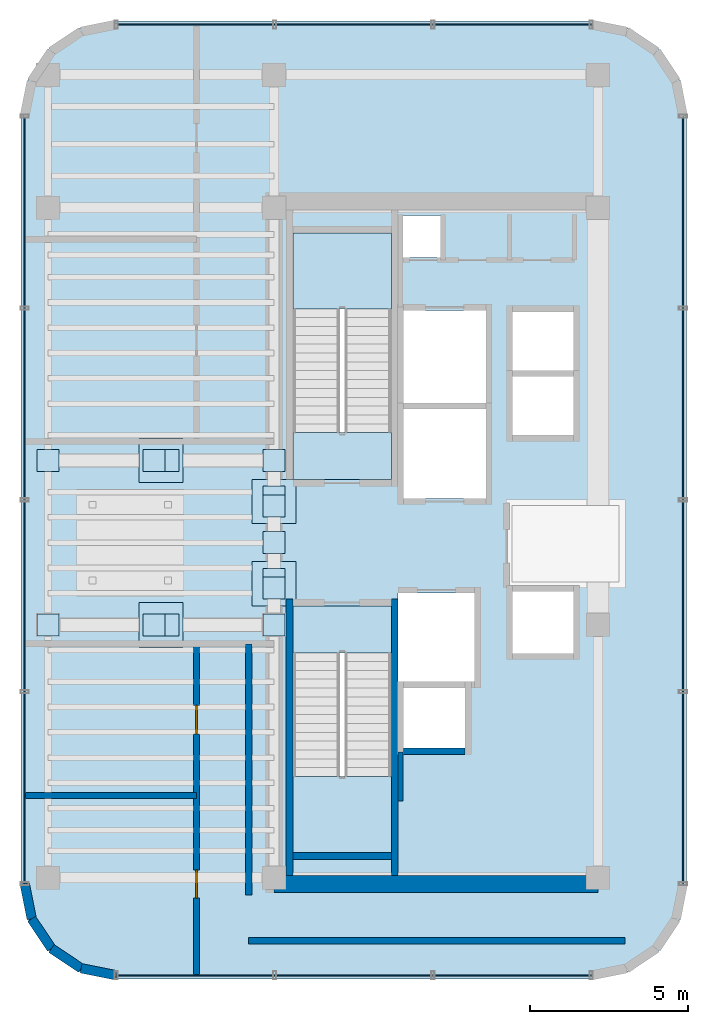
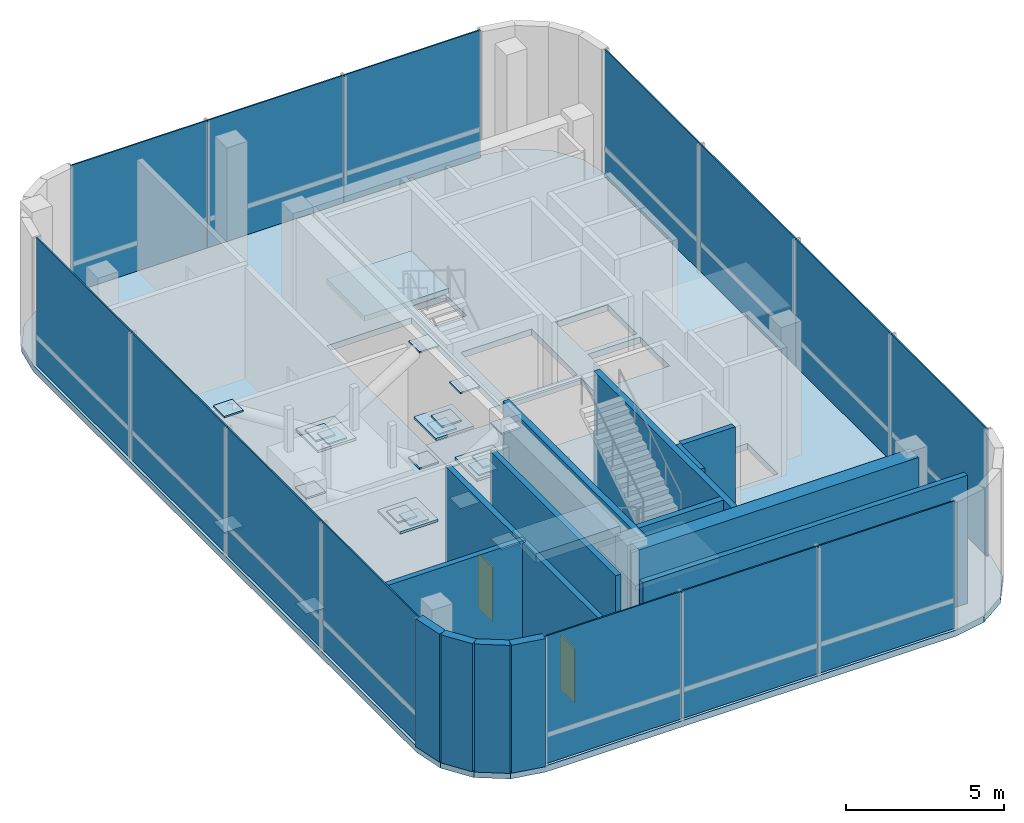
# One storey, part 9 of 13: 36 plates, 14 walls, 5 slabs, 2 doors, 2 openings, 6 elements without a shape of their own.
"""IFC4 building model written with IfcOpenShell, lengths in metres."""

from ifc_helpers import new_model, si_unit, direction, frame, frame_2d, origin, origin_2d, place, context, subcontext, project, spatial, polyline, rectangle, outline, extrude, source, transform, mapped, material, layer, layer_set, type_object, element, fill, aggregate, save


model = new_model("IFC4")

# Units and contexts
model_context = context("Model", 3, precision=1e-05, world=origin(), true_north=direction((0.0, 1.0)))
body_context = subcontext(model_context, "Body", "Model", "MODEL_VIEW")
ifc_project = project(units=[si_unit("LENGTHUNIT", "METRE"), si_unit("AREAUNIT", "SQUARE_METRE"), si_unit("VOLUMEUNIT", "CUBIC_METRE"), si_unit("PLANEANGLEUNIT", "RADIAN"), si_unit("MASSUNIT", "GRAM", prefix="KILO")], contexts=[model_context])

# Site, building, storey
site_placement = place(None, origin())
site = spatial("IfcSite", under=ifc_project, at=site_placement, CompositionType="ELEMENT")
building_placement = place(site_placement, origin())
building = spatial("IfcBuilding", under=site, at=building_placement, Name="Valdorenza Pilgrim Sanctuary Tower", CompositionType="ELEMENT")
storey_placement = place(building_placement, frame((0.0, 0.0, 294.199951171875)))
storey = spatial("IfcBuildingStorey", under=building, at=storey_placement, Name="L77", CompositionType="ELEMENT", Elevation=294.199951171875)

# Slab
ifc_material_1 = material(Name="Concrete C40/50", Category="concrete")
ifc_layer_1 = layer(ifc_material_1, 0.239990234375, Name="Concrete C40/50")
ifc_layer_set_1 = layer_set([ifc_layer_1], Name="Concrete C40/50")
slab_type_1 = type_object("IfcSlabType", Name="SLAB-PLT-240", PredefinedType="FLOOR", material=ifc_layer_set_1)
slab_1_placement = place(storey_placement, frame((0.0, 0.0, -0.239990234375)))
element("IfcSlab", 1, at=slab_1_placement, inside=storey, type_object=slab_type_1, Name="L77 Structural Floor Slab 1", PredefinedType="FLOOR", context=body_context, shape_type="SweptSolid", body=[
    extrude(outline(polyline([(-30.64990234375, 13.5), (-30.421630859375, 14.648193359375), (-29.771240234375, 15.621337890625), (-28.798095703125, 16.271484375), (-27.64990234375, 16.5), (-12.60009765625, 16.5), (-11.451904296875, 16.271484375), (-10.478759765625, 15.621337890625), (-9.828369140625, 14.648193359375), (-9.60009765625, 13.5), (-9.60009765625, -10.800048828125), (-9.828369140625, -11.947998046875), (-10.478759765625, -12.92138671875), (-11.451904296875, -13.571533203125), (-12.60009765625, -13.800048828125), (-27.64990234375, -13.800048828125), (-28.798095703125, -13.571533203125), (-29.771240234375, -12.92138671875), (-30.421630859375, -11.947998046875), (-30.64990234375, -10.800048828125), (-30.64990234375, 13.5)]), holes=[polyline([(-22.050048828125, -9.800048828125), (-18.93994140625, -9.800048828125), (-18.93994140625, -3.485107421875), (-18.93994140625, -2.0), (-22.050048828125, -2.0), (-22.050048828125, -3.485107421875), (-22.050048828125, -9.800048828125)]), polyline([(-16.60009765625, -6.5), (-16.60009765625, -4.60009765625), (-18.550048828125, -4.60009765625), (-18.550048828125, -6.5), (-16.60009765625, -6.5)]), polyline([(-22.050048828125, 2.0), (-18.93994140625, 2.0), (-18.93994140625, 3.485107421875), (-18.93994140625, 9.800048828125), (-22.050048828125, 9.800048828125), (-22.050048828125, 3.485107421875), (-22.050048828125, 2.0)]), polyline([(-17.360107421875, 9.030029296875), (-17.360107421875, 10.35009765625), (-18.570068359375, 10.35009765625), (-18.570068359375, 9.030029296875), (-17.360107421875, 9.030029296875)]), polyline([(-16.300048828125, -1.60009765625), (-18.719970703125, -1.60009765625), (-18.719970703125, -4.39990234375), (-16.300048828125, -4.39990234375), (-16.300048828125, -1.60009765625)]), polyline([(-13.179931640625, -3.5), (-13.179931640625, -1.550048828125), (-15.10009765625, -1.550048828125), (-15.10009765625, -3.5), (-13.179931640625, -3.5)]), polyline([(-15.949951171875, 1.39990234375), (-15.949951171875, 4.22509765625), (-18.550048828125, 4.22509765625), (-18.550048828125, 1.39990234375), (-15.949951171875, 1.39990234375)]), polyline([(-13.179931640625, 5.25), (-15.10009765625, 5.25), (-15.10009765625, 3.39990234375), (-13.179931640625, 3.39990234375), (-13.179931640625, 5.25)]), polyline([(-15.949951171875, 4.425048828125), (-15.949951171875, 7.35009765625), (-18.550048828125, 7.35009765625), (-18.550048828125, 4.425048828125), (-15.949951171875, 4.425048828125)]), polyline([(-13.179931640625, 5.449951171875), (-13.179931640625, 7.300048828125), (-15.10009765625, 7.300048828125), (-15.10009765625, 5.449951171875), (-13.179931640625, 5.449951171875)])]), origin(), (0.0, 0.0, 1.0), 0.239990234375),
])

# Stair, slab
stair_type = type_object("IfcStairType", Name="STR-DOG-CORE", PredefinedType="HALF_TURN_STAIR", material=ifc_material_1)
stair_1_placement = place(storey_placement, origin())
stair_1 = element("IfcStair", 2, at=stair_1_placement, inside=storey, type_object=stair_type, Name="L77 ST-A1", PredefinedType="HALF_TURN_STAIR")
ifc_layer_2 = layer(ifc_material_1, 0.199951171875, Name="Concrete C40/50")
ifc_layer_set_2 = layer_set([ifc_layer_2], Name="Concrete C40/50")
slab_type_2 = type_object("IfcSlabType", Name="SLAB-STL-200", PredefinedType="LANDING", material=ifc_layer_set_2)
slab_2_placement = place(storey_placement, frame((0.0, 0.0, 2.400146484375)))
slab_2 = element("IfcSlab", 3, at=slab_2_placement, type_object=slab_type_2, Name="ST-A1 landing 1", PredefinedType="LANDING", context=body_context, shape_type="SweptSolid", body=[
    extrude(outline(polyline([(-18.93994140625, 7.39990234375), (-18.93994140625, 9.800048828125), (-22.050048828125, 9.800048828125), (-22.050048828125, 7.39990234375), (-18.93994140625, 7.39990234375)])), origin(), (0.0, 0.0, 1.0), 0.199951171875),
])
aggregate(stair_1, [slab_2])

stair_2_placement = place(storey_placement, origin())
stair_2 = element("IfcStair", 4, at=stair_2_placement, inside=storey, type_object=stair_type, Name="L77 ST-A2", PredefinedType="HALF_TURN_STAIR")
slab_3_placement = place(storey_placement, frame((0.0, 0.0, 2.400146484375)))
slab_3 = element("IfcSlab", 5, at=slab_3_placement, type_object=slab_type_2, Name="ST-A2 landing 1", PredefinedType="LANDING", context=body_context, shape_type="SweptSolid", body=[
    extrude(outline(polyline([(-22.050048828125, -7.39990234375), (-22.050048828125, -9.800048828125), (-18.93994140625, -9.800048828125), (-18.93994140625, -7.39990234375), (-22.050048828125, -7.39990234375)])), origin(), (0.0, 0.0, 1.0), 0.199951171875),
])
aggregate(stair_2, [slab_3])

# Slabs
ifc_material_2 = material(Name="Concrete C50/60", Category="concrete")
ifc_layer_3 = layer(ifc_material_2, 0.39990234375, Name="Concrete C50/60")
ifc_layer_set_3 = layer_set([ifc_layer_3], Name="Concrete C50/60")
slab_type_3 = type_object("IfcSlabType", Name="SLAB-TRF-400", PredefinedType="FLOOR", material=ifc_layer_set_3)
slab_4_placement = place(storey_placement, frame((0.0, 0.0, -0.35986328125)))
element("IfcSlab", 6, at=slab_4_placement, inside=storey, type_object=slab_type_3, Name="L77 ST-A1 Structural Stair Landing Bearing Slab", PredefinedType="FLOOR", context=body_context, shape_type="SweptSolid", body=[
    extrude(outline(polyline([(-22.050048828125, 2.0), (-18.93994140625, 2.0), (-18.93994140625, 3.485107421875), (-22.050048828125, 3.485107421875), (-22.050048828125, 2.0)])), origin(), (0.0, 0.0, 1.0), 0.35986328125),
])
slab_5_placement = place(storey_placement, frame((0.0, 0.0, -0.35986328125)))
element("IfcSlab", 7, at=slab_5_placement, inside=storey, type_object=slab_type_3, Name="L77 ST-A2 Structural Stair Landing Bearing Slab", PredefinedType="FLOOR", context=body_context, shape_type="SweptSolid", body=[
    extrude(outline(polyline([(-22.050048828125, -3.485107421875), (-18.93994140625, -3.485107421875), (-18.93994140625, -2.0), (-22.050048828125, -2.0), (-22.050048828125, -3.485107421875)])), origin(), (0.0, 0.0, 1.0), 0.35986328125),
])

# Plates
ifc_material_3 = material(Name="Steel ASTM A572 Grade 42", Category="steel")
ifc_layer_4 = layer(ifc_material_3, 0.090087890625, Name="Steel ASTM A572 Grade 42")
ifc_layer_set_4 = layer_set([ifc_layer_4], Name="Steel ASTM A572 Grade 42")
plate_type_1 = type_object("IfcPlateType", Name="PLT-GUS-90", PredefinedType="USERDEFINED", material=ifc_layer_set_4)
shared_shape_1 = source(origin(), body_context, "Body", "SweptSolid", [
    extrude(rectangle(XDim=1.39990234375, YDim=1.39990234375, at=origin_2d()), origin(), (0.0, 0.0, 1.0), 0.090087890625),
])
for number, where, z_axis, x_axis, name in (
    (8, (-26.22509765625, -2.60009765625, 2.35498046875), (0.0, 0.0, 1.0), (1.0, 0.0, 0.0), "Truss X-Brace Node Gusset Assembly CN-01 (MB-TMD-HNG-1)"),
    (9, (-26.22509765625, 2.60009765625, 2.35498046875), (0.0, 0.0, 1.0), (1.0, 0.0, 0.0), "Truss X-Brace Node Gusset Assembly CN-01 (MB-TMD-HNG-2)"),
    (10, (-22.64990234375, -1.300048828125, 2.35498046875), (0.0, 0.0, 1.0), (1.0, 0.0, 0.0), "Truss X-Brace Node Gusset Assembly CN-01 (MB-TMD-HNG-3)"),
    (11, (-22.64990234375, 1.300048828125, 2.35498046875), (0.0, 0.0, 1.0), (1.0, 0.0, 0.0), "Truss X-Brace Node Gusset Assembly CN-01 (MB-TMD-HNG-4)"),
):
    element("IfcPlate", number, at=place(storey_placement, frame(where, z_axis=z_axis, x_axis=x_axis)), inside=storey, type_object=plate_type_1, Name=name, ObjectType="GUSSET PLATE", PredefinedType="USERDEFINED", context=body_context, shape_type="MappedRepresentation", body=[
        mapped(shared_shape_1, transform((0.0, 0.0, 0.0), x_axis=(1.0, 0.0, 0.0), y_axis=(0.0, 1.0, 0.0), z_axis=(0.0, 0.0, 1.0), scale=1.0)),
    ])
ifc_layer_5 = layer(ifc_material_3, 0.06005859375, Name="Steel ASTM A572 Grade 42")
ifc_layer_set_5 = layer_set([ifc_layer_5], Name="Steel ASTM A572 Grade 42")
plate_type_2 = type_object("IfcPlateType", Name="PLT-CAP-60", PredefinedType="SHEET", material=ifc_layer_set_5)
shared_shape_2 = source(origin(), body_context, "Body", "SweptSolid", [
    extrude(rectangle(XDim=0.699951171875, YDim=0.699951171875, at=origin_2d()), origin(), (0.0, 0.0, 1.0), 0.06005859375),
])
for number, where, z_axis, x_axis, name in (
    (12, (-29.800048828125, -2.60009765625, 0.1201171875), (0.0, 0.0, 1.0), (1.0, 0.0, 0.0), "Tuned Mass Damper TMD-1 Cradle Brace 1 End Connection Plate 1"),
    (13, (-22.64990234375, -2.60009765625, 4.6201171875), (0.0, 0.0, 1.0), (1.0, 0.0, 0.0), "Tuned Mass Damper TMD-1 Cradle Brace 1 End Connection Plate 2"),
    (14, (-22.64990234375, -2.60009765625, 0.1201171875), (0.0, 0.0, 1.0), (1.0, 0.0, 0.0), "Tuned Mass Damper TMD-1 Damping Strut 1 Lower Segment End Connection Plate 1"),
    (15, (-26.00048828125, -2.60009765625, 2.228515625), (0.0, 0.0, 1.0), (1.0, 0.0, 0.0), "Tuned Mass Damper TMD-1 Damping Strut 1 Lower Segment End Connection Plate 2"),
    (16, (-26.44970703125, -2.60009765625, 2.511474609375), (0.0, 0.0, 1.0), (1.0, 0.0, 0.0), "Tuned Mass Damper TMD-1 Damping Strut 1 Upper Segment End Connection Plate 1"),
    (17, (-29.800048828125, -2.60009765625, 4.6201171875), (0.0, 0.0, 1.0), (1.0, 0.0, 0.0), "Tuned Mass Damper TMD-1 Damping Strut 1 Upper Segment End Connection Plate 2"),
    (18, (-29.800048828125, 2.60009765625, 0.1201171875), (0.0, 0.0, 1.0), (1.0, 0.0, 0.0), "Tuned Mass Damper TMD-1 Cradle Brace 2 End Connection Plate 1"),
    (19, (-22.64990234375, 2.60009765625, 4.6201171875), (0.0, 0.0, 1.0), (1.0, 0.0, 0.0), "Tuned Mass Damper TMD-1 Cradle Brace 2 End Connection Plate 2"),
    (20, (-22.64990234375, 2.60009765625, 0.1201171875), (0.0, 0.0, 1.0), (1.0, 0.0, 0.0), "Tuned Mass Damper TMD-1 Damping Strut 2 Lower Segment End Connection Plate 1"),
    (21, (-26.00048828125, 2.60009765625, 2.228515625), (0.0, 0.0, 1.0), (1.0, 0.0, 0.0), "Tuned Mass Damper TMD-1 Damping Strut 2 Lower Segment End Connection Plate 2"),
    (22, (-26.44970703125, 2.60009765625, 2.511474609375), (0.0, 0.0, 1.0), (1.0, 0.0, 0.0), "Tuned Mass Damper TMD-1 Damping Strut 2 Upper Segment End Connection Plate 1"),
    (23, (-29.800048828125, 2.60009765625, 4.6201171875), (0.0, 0.0, 1.0), (1.0, 0.0, 0.0), "Tuned Mass Damper TMD-1 Damping Strut 2 Upper Segment End Connection Plate 2"),
    (24, (-22.64990234375, 0.0, 4.6201171875), (0.0, 0.0, 1.0), (1.0, 0.0, 0.0), "Tuned Mass Damper TMD-1 Cradle Brace 3 End Connection Plate 2"),
    (25, (-22.64990234375, 0.0, 0.1201171875), (0.0, 0.0, 1.0), (1.0, 0.0, 0.0), "Tuned Mass Damper TMD-1 Damping Strut 3 Lower Segment End Connection Plate 1"),
    (26, (-22.64990234375, -1.162109375, 2.131103515625), (0.0, 0.0, 1.0), (1.0, 0.0, 0.0), "Tuned Mass Damper TMD-1 Damping Strut 3 Lower Segment End Connection Plate 2"),
    (27, (-22.64990234375, -1.43798828125, 2.60888671875), (0.0, 0.0, 1.0), (1.0, 0.0, 0.0), "Tuned Mass Damper TMD-1 Damping Strut 3 Upper Segment End Connection Plate 1"),
    (28, (-22.64990234375, 1.43798828125, 2.131103515625), (0.0, 0.0, 1.0), (1.0, 0.0, 0.0), "Tuned Mass Damper TMD-1 Damping Strut 4 Lower Segment End Connection Plate 2"),
    (29, (-22.64990234375, 1.162109375, 2.60888671875), (0.0, 0.0, 1.0), (1.0, 0.0, 0.0), "Tuned Mass Damper TMD-1 Damping Strut 4 Upper Segment End Connection Plate 1"),
):
    element("IfcPlate", number, at=place(storey_placement, frame(where, z_axis=z_axis, x_axis=x_axis)), inside=storey, type_object=plate_type_2, Name=name, PredefinedType="SHEET", context=body_context, shape_type="MappedRepresentation", body=[
        mapped(shared_shape_2, transform((0.0, 0.0, 0.0), x_axis=(1.0, 0.0, 0.0), y_axis=(0.0, 1.0, 0.0), z_axis=(0.0, 0.0, 1.0), scale=1.0)),
    ])

# Curtain wall, plates
ifc_material_4 = material(Name="Curtain-wall IGU glazing", Category="glass")
curtain_wall_type = type_object("IfcCurtainWallType", Name="CW-SYS-06", PredefinedType="NOTDEFINED", material=ifc_material_4)
curtain_wall_1_placement = place(storey_placement, origin())
curtain_wall_1 = element("IfcCurtainWall", 30, at=curtain_wall_1_placement, inside=storey, type_object=curtain_wall_type, Name="L77 Curtain Wall CW-L77-1-1", PredefinedType="NOTDEFINED")
ifc_material_5 = material(Name="Translucent white ceramic-fritted crown lantern glass", Category="glass")
ifc_layer_6 = layer(ifc_material_5, 0.0419921875, Name="Translucent white ceramic-fritted crown lantern glass")
ifc_layer_set_6 = layer_set([ifc_layer_6], Name="Translucent white ceramic-fritted crown lantern glass")
plate_type_3 = type_object("IfcPlateType", Name="CW-GLZ-CROWN", PredefinedType="USERDEFINED", material=ifc_layer_set_6)
shared_shape_3 = source(origin(), body_context, "Body", "SweptSolid", [
    extrude(rectangle(XDim=6.049560546875, YDim=0.050048828125, at=origin_2d()), origin(), (0.0, 0.0, 1.0), 4.93994140625),
])
plate_1_placement = place(storey_placement, frame((-30.5400390625, -7.75439453125, 0.010009765625), z_axis=(0.0, 0.0, 1.0), x_axis=(0.0, 1.0, 0.0)))
plate_1 = element("IfcPlate", 31, at=plate_1_placement, type_object=plate_type_3, Name="CW-L77-1-1 Full-Height Facade Panel 1", ObjectType="GLAZING", PredefinedType="USERDEFINED", context=body_context, shape_type="MappedRepresentation", body=[
    mapped(shared_shape_3, transform((0.0, 0.0, 0.0), x_axis=(1.0, 0.0, 0.0), y_axis=(0.0, 1.0, 0.0), z_axis=(0.0, 0.0, 1.0), scale=1.0)),
])
plate_2_placement = place(storey_placement, frame((-30.5400390625, -1.684814453125, 0.010009765625), z_axis=(0.0, 0.0, 1.0), x_axis=(0.0, 1.0, 0.0)))
plate_2 = element("IfcPlate", 32, at=plate_2_placement, type_object=plate_type_3, Name="CW-L77-1-1 Full-Height Facade Panel 2", ObjectType="GLAZING", PredefinedType="USERDEFINED", context=body_context, shape_type="MappedRepresentation", body=[
    mapped(shared_shape_3, transform((0.0, 0.0, 0.0), x_axis=(1.0, 0.0, 0.0), y_axis=(0.0, 1.0, 0.0), z_axis=(0.0, 0.0, 1.0), scale=1.0)),
])
plate_3_placement = place(storey_placement, frame((-30.5400390625, 4.384765625, 0.010009765625), z_axis=(0.0, 0.0, 1.0), x_axis=(0.0, 1.0, 0.0)))
plate_3 = element("IfcPlate", 33, at=plate_3_placement, type_object=plate_type_3, Name="CW-L77-1-1 Full-Height Facade Panel 3", ObjectType="GLAZING", PredefinedType="USERDEFINED", context=body_context, shape_type="MappedRepresentation", body=[
    mapped(shared_shape_3, transform((0.0, 0.0, 0.0), x_axis=(1.0, 0.0, 0.0), y_axis=(0.0, 1.0, 0.0), z_axis=(0.0, 0.0, 1.0), scale=1.0)),
])
plate_4_placement = place(storey_placement, frame((-30.5400390625, 10.454345703125, 0.010009765625), z_axis=(0.0, 0.0, 1.0), x_axis=(0.0, 1.0, 0.0)))
plate_4 = element("IfcPlate", 34, at=plate_4_placement, type_object=plate_type_3, Name="CW-L77-1-1 Full-Height Facade Panel 4", ObjectType="GLAZING", PredefinedType="USERDEFINED", context=body_context, shape_type="MappedRepresentation", body=[
    mapped(shared_shape_3, transform((0.0, 0.0, 0.0), x_axis=(1.0, 0.0, 0.0), y_axis=(0.0, 1.0, 0.0), z_axis=(0.0, 0.0, 1.0), scale=1.0)),
])
aggregate(curtain_wall_1, [plate_1, plate_2, plate_3, plate_4])

curtain_wall_2_placement = place(storey_placement, origin())
curtain_wall_2 = element("IfcCurtainWall", 35, at=curtain_wall_2_placement, inside=storey, type_object=curtain_wall_type, Name="L77 Curtain Wall CW-L77-1-11", PredefinedType="NOTDEFINED")
plate_5_placement = place(storey_placement, frame((-9.7099609375, 10.454345703125, 0.010009765625), z_axis=(0.0, 0.0, 1.0), x_axis=(0.0, -1.0, 0.0)))
plate_5 = element("IfcPlate", 36, at=plate_5_placement, type_object=plate_type_3, Name="CW-L77-1-11 Full-Height Facade Panel 1", ObjectType="GLAZING", PredefinedType="USERDEFINED", context=body_context, shape_type="MappedRepresentation", body=[
    mapped(shared_shape_3, transform((0.0, 0.0, 0.0), x_axis=(1.0, 0.0, 0.0), y_axis=(0.0, 1.0, 0.0), z_axis=(0.0, 0.0, 1.0), scale=1.0)),
])
plate_6_placement = place(storey_placement, frame((-9.7099609375, 4.384765625, 0.010009765625), z_axis=(0.0, 0.0, 1.0), x_axis=(0.0, -1.0, 0.0)))
plate_6 = element("IfcPlate", 37, at=plate_6_placement, type_object=plate_type_3, Name="CW-L77-1-11 Full-Height Facade Panel 2", ObjectType="GLAZING", PredefinedType="USERDEFINED", context=body_context, shape_type="MappedRepresentation", body=[
    mapped(shared_shape_3, transform((0.0, 0.0, 0.0), x_axis=(1.0, 0.0, 0.0), y_axis=(0.0, 1.0, 0.0), z_axis=(0.0, 0.0, 1.0), scale=1.0)),
])
plate_7_placement = place(storey_placement, frame((-9.7099609375, -1.684814453125, 0.010009765625), z_axis=(0.0, 0.0, 1.0), x_axis=(0.0, -1.0, 0.0)))
plate_7 = element("IfcPlate", 38, at=plate_7_placement, type_object=plate_type_3, Name="CW-L77-1-11 Full-Height Facade Panel 3", ObjectType="GLAZING", PredefinedType="USERDEFINED", context=body_context, shape_type="MappedRepresentation", body=[
    mapped(shared_shape_3, transform((0.0, 0.0, 0.0), x_axis=(1.0, 0.0, 0.0), y_axis=(0.0, 1.0, 0.0), z_axis=(0.0, 0.0, 1.0), scale=1.0)),
])
plate_8_placement = place(storey_placement, frame((-9.7099609375, -7.75439453125, 0.010009765625), z_axis=(0.0, 0.0, 1.0), x_axis=(0.0, -1.0, 0.0)))
plate_8 = element("IfcPlate", 39, at=plate_8_placement, type_object=plate_type_3, Name="CW-L77-1-11 Full-Height Facade Panel 4", ObjectType="GLAZING", PredefinedType="USERDEFINED", context=body_context, shape_type="MappedRepresentation", body=[
    mapped(shared_shape_3, transform((0.0, 0.0, 0.0), x_axis=(1.0, 0.0, 0.0), y_axis=(0.0, 1.0, 0.0), z_axis=(0.0, 0.0, 1.0), scale=1.0)),
])
aggregate(curtain_wall_2, [plate_5, plate_6, plate_7, plate_8])

curtain_wall_3_placement = place(storey_placement, origin())
curtain_wall_3 = element("IfcCurtainWall", 40, at=curtain_wall_3_placement, inside=storey, type_object=curtain_wall_type, Name="L77 Curtain Wall CW-L77-1-6", PredefinedType="NOTDEFINED")
shared_shape_4 = source(origin(), body_context, "Body", "SweptSolid", [
    extrude(rectangle(XDim=4.989501953125, YDim=0.050048828125, at=origin_2d()), origin(), (0.0, 0.0, 1.0), 4.93994140625),
])
plate_9_placement = place(storey_placement, frame((-25.134521484375, 16.389892578125, 0.010009765625), z_axis=(0.0, 0.0, 1.0), x_axis=(1.0, 0.0, 0.0)))
plate_9 = element("IfcPlate", 41, at=plate_9_placement, type_object=plate_type_3, Name="CW-L77-1-6 Full-Height Facade Panel 1", ObjectType="GLAZING", PredefinedType="USERDEFINED", context=body_context, shape_type="MappedRepresentation", body=[
    mapped(shared_shape_4, transform((0.0, 0.0, 0.0), x_axis=(1.0, 0.0, 0.0), y_axis=(0.0, 1.0, 0.0), z_axis=(0.0, 0.0, 1.0), scale=1.0)),
])
plate_10_placement = place(storey_placement, frame((-20.125, 16.389892578125, 0.010009765625), z_axis=(0.0, 0.0, 1.0), x_axis=(1.0, 0.0, 0.0)))
plate_10 = element("IfcPlate", 42, at=plate_10_placement, type_object=plate_type_3, Name="CW-L77-1-6 Full-Height Facade Panel 2", ObjectType="GLAZING", PredefinedType="USERDEFINED", context=body_context, shape_type="MappedRepresentation", body=[
    mapped(shared_shape_4, transform((0.0, 0.0, 0.0), x_axis=(1.0, 0.0, 0.0), y_axis=(0.0, 1.0, 0.0), z_axis=(0.0, 0.0, 1.0), scale=1.0)),
])
plate_11_placement = place(storey_placement, frame((-15.115478515625, 16.389892578125, 0.010009765625), z_axis=(0.0, 0.0, 1.0), x_axis=(1.0, 0.0, 0.0)))
plate_11 = element("IfcPlate", 43, at=plate_11_placement, type_object=plate_type_3, Name="CW-L77-1-6 Full-Height Facade Panel 3", ObjectType="GLAZING", PredefinedType="USERDEFINED", context=body_context, shape_type="MappedRepresentation", body=[
    mapped(shared_shape_4, transform((0.0, 0.0, 0.0), x_axis=(1.0, 0.0, 0.0), y_axis=(0.0, 1.0, 0.0), z_axis=(0.0, 0.0, 1.0), scale=1.0)),
])
aggregate(curtain_wall_3, [plate_9, plate_10, plate_11])

curtain_wall_4_placement = place(storey_placement, origin())
curtain_wall_4 = element("IfcCurtainWall", 44, at=curtain_wall_4_placement, inside=storey, type_object=curtain_wall_type, Name="L77 Curtain Wall CW-L77-1-16", PredefinedType="NOTDEFINED")
plate_12_placement = place(storey_placement, frame((-15.115478515625, -13.68994140625, 0.010009765625), z_axis=(0.0, 0.0, 1.0), x_axis=(-1.0, 0.0, 0.0)))
plate_12 = element("IfcPlate", 45, at=plate_12_placement, type_object=plate_type_3, Name="CW-L77-1-16 Full-Height Facade Panel 1", ObjectType="GLAZING", PredefinedType="USERDEFINED", context=body_context, shape_type="MappedRepresentation", body=[
    mapped(shared_shape_4, transform((0.0, 0.0, 0.0), x_axis=(1.0, 0.0, 0.0), y_axis=(0.0, 1.0, 0.0), z_axis=(0.0, 0.0, 1.0), scale=1.0)),
])
plate_13_placement = place(storey_placement, frame((-20.125, -13.68994140625, 0.010009765625), z_axis=(0.0, 0.0, 1.0), x_axis=(-1.0, 0.0, 0.0)))
plate_13 = element("IfcPlate", 46, at=plate_13_placement, type_object=plate_type_3, Name="CW-L77-1-16 Full-Height Facade Panel 2", ObjectType="GLAZING", PredefinedType="USERDEFINED", context=body_context, shape_type="MappedRepresentation", body=[
    mapped(shared_shape_4, transform((0.0, 0.0, 0.0), x_axis=(1.0, 0.0, 0.0), y_axis=(0.0, 1.0, 0.0), z_axis=(0.0, 0.0, 1.0), scale=1.0)),
])
plate_14_placement = place(storey_placement, frame((-25.134521484375, -13.68994140625, 0.010009765625), z_axis=(0.0, 0.0, 1.0), x_axis=(-1.0, 0.0, 0.0)))
plate_14 = element("IfcPlate", 47, at=plate_14_placement, type_object=plate_type_3, Name="CW-L77-1-16 Full-Height Facade Panel 3", ObjectType="GLAZING", PredefinedType="USERDEFINED", context=body_context, shape_type="MappedRepresentation", body=[
    mapped(shared_shape_4, transform((0.0, 0.0, 0.0), x_axis=(1.0, 0.0, 0.0), y_axis=(0.0, 1.0, 0.0), z_axis=(0.0, 0.0, 1.0), scale=1.0)),
])
aggregate(curtain_wall_4, [plate_12, plate_13, plate_14])

# Walls
ifc_material_6 = material(Name="Acoustic twin-stud gypsum partition", Category="gypsum")
ifc_layer_7 = layer(ifc_material_6, 0.159912109375, Name="Acoustic twin-stud gypsum partition")
ifc_layer_set_7 = layer_set([ifc_layer_7], Name="Acoustic twin-stud gypsum partition")
wall_type_1 = type_object("IfcWallType", Name="WAL-COR-160", PredefinedType="PARTITIONING", material=ifc_layer_set_7)
wall_1_placement = place(storey_placement, frame((-18.64990234375, -8.179931640625, 0.0), z_axis=(0.0, 0.0, 1.0), x_axis=(0.0, 1.0, 0.0)))
element("IfcWall", 48, at=wall_1_placement, inside=storey, type_object=wall_type_1, Name="L77 Core A South Lift Hall West Wall", PredefinedType="PARTITIONING", context=body_context, shape_type="SweptSolid", body=[
    extrude(rectangle(XDim=1.559814453125, YDim=0.159912109375, at=frame_2d((0.77978515625, 0.0))), origin(), (0.0, 0.0, 1.0), 4.9599609375),
])
ifc_layer_8 = layer(ifc_material_2, 0.550048828125, Name="Concrete C50/60")
ifc_layer_set_8 = layer_set([ifc_layer_8], Name="Concrete C50/60")
wall_type_2 = type_object("IfcWallType", Name="WAL-COR-550", PredefinedType="SHEAR", material=ifc_layer_set_8)
wall_2_placement = place(storey_placement, frame((-22.64990234375, -10.800048828125, 0.0), z_axis=(0.0, 0.0, 1.0), x_axis=(1.0, 0.0, 0.0)))
element("IfcWall", 49, at=wall_2_placement, inside=storey, type_object=wall_type_2, Name="L77 Split Core A Shear Wall S", PredefinedType="SHEAR", context=body_context, shape_type="SweptSolid", body=[
    extrude(rectangle(XDim=10.25, YDim=0.550048828125, at=frame_2d((5.125, 0.0))), origin(), (0.0, 0.0, 1.0), 4.9599609375),
])
ifc_material_7 = material(Name="Honed travertine limestone", Category="masonry")
ifc_layer_9 = layer(ifc_material_7, 0.300048828125, Name="Honed travertine limestone")
ifc_layer_set_9 = layer_set([ifc_layer_9], Name="Honed travertine limestone")
wall_type_3 = type_object("IfcWallType", Name="WAL-EXT-300", PredefinedType="SOLIDWALL", material=ifc_layer_set_9)
wall_3_placement = place(storey_placement, frame((-27.63916015625, -13.68994140625, 0.0), z_axis=(0.0, 0.0, 1.0), x_axis=(-0.980794657743, 0.195043173023, 0.0)))
element("IfcWall", 50, at=wall_3_placement, inside=storey, type_object=wall_type_3, Name="L77 Rounded Wind-Corner Stone Pier 17", PredefinedType="SOLIDWALL", context=body_context, shape_type="SweptSolid", body=[
    extrude(rectangle(XDim=1.137939453125, YDim=0.300048828125, at=frame_2d((0.56884765625, 0.0))), origin(), (0.0, 0.0, 1.0), 4.9599609375),
])
for number, where, z_axis, x_axis, name in (
    (51, (-28.755126953125, -13.468017578125, 0.0), (0.0, 0.0, 1.0), (-0.831449735491, 0.555599979619, 0.0), "L77 Rounded Wind-Corner Stone Pier 18"),
    (52, (-29.69189453125, -12.842041015625, 0.0), (0.0, 0.0, 1.0), (-0.555749754081, 0.831349632128, 0.0), "L77 Rounded Wind-Corner Stone Pier 19"),
):
    element("IfcWall", number, at=place(storey_placement, frame(where, z_axis=z_axis, x_axis=x_axis)), inside=storey, type_object=wall_type_3, Name=name, PredefinedType="SOLIDWALL", context=body_context, shape_type="SweptSolid", body=[
        extrude(rectangle(XDim=1.126708984375, YDim=0.300048828125, at=frame_2d((0.5634765625, 0.0))), origin(), (0.0, 0.0, 1.0), 4.9599609375),
    ])
wall_4_placement = place(storey_placement, frame((-30.318115234375, -11.9052734375, 0.0), z_axis=(0.0, 0.0, 1.0), x_axis=(-0.195043173023, 0.980794657743, 0.0)))
element("IfcWall", 53, at=wall_4_placement, inside=storey, type_object=wall_type_3, Name="L77 Rounded Wind-Corner Stone Pier 20", PredefinedType="SOLIDWALL", context=body_context, shape_type="SweptSolid", body=[
    extrude(rectangle(XDim=1.137939453125, YDim=0.300048828125, at=frame_2d((0.56884765625, 0.0))), origin(), (0.0, 0.0, 1.0), 4.9599609375),
])
ifc_material_8 = material(Name="Gypsum shaftwall partition", Category="gypsum")
ifc_layer_10 = layer(ifc_material_8, 0.199951171875, Name="Gypsum shaftwall partition")
ifc_layer_set_10 = layer_set([ifc_layer_10], Name="Gypsum shaftwall partition")
wall_type_4 = type_object("IfcWallType", Name="WAL-FFL-200", PredefinedType="PARTITIONING", material=ifc_layer_set_10)
wall_5_placement = place(storey_placement, frame((-23.449951171875, -12.60009765625, 0.0), z_axis=(0.0, 0.0, 1.0), x_axis=(1.0, 0.0, 0.0)))
element("IfcWall", 54, at=wall_5_placement, inside=storey, type_object=wall_type_4, Name="L77 L77 South Plant Corridor South Wall", PredefinedType="PARTITIONING", context=body_context, shape_type="SweptSolid", body=[
    extrude(rectangle(XDim=11.89990234375, YDim=0.199951171875, at=frame_2d((5.949951171875, 0.0))), origin(), (0.0, 0.0, 1.0), 4.9599609375),
])
wall_6_placement = place(storey_placement, frame((-30.5400390625, -8.0, 0.0), z_axis=(0.0, 0.0, 1.0), x_axis=(1.0, 0.0, 0.0)))
element("IfcWall", 55, at=wall_6_placement, inside=storey, type_object=wall_type_4, Name="L77 L77 South Plant Divider", PredefinedType="PARTITIONING", context=body_context, shape_type="SweptSolid", body=[
    extrude(rectangle(XDim=5.43994140625, YDim=0.199951171875, at=frame_2d((2.719970703125, 0.0))), origin(), (0.0, 0.0, 1.0), 4.406005859375),
])
wall_7_placement = place(storey_placement, frame((-23.449951171875, -11.14990234375, 0.0), z_axis=(0.0, 0.0, 1.0), x_axis=(0.0, 1.0, 0.0)))
element("IfcWall", 56, at=wall_7_placement, inside=storey, type_object=wall_type_4, Name="L77 L77 South Corridor East Wall", PredefinedType="PARTITIONING", context=body_context, shape_type="SweptSolid", body=[
    extrude(rectangle(XDim=7.949951171875, YDim=0.199951171875, at=frame_2d((3.97509765625, 0.0))), origin(), (0.0, 0.0, 1.0), 4.322998046875),
])

# Wall, openings, doors
wall_8_placement = place(storey_placement, frame((-25.10009765625, -13.68994140625, 0.0), z_axis=(0.0, 0.0, 1.0), x_axis=(0.0, 1.0, 0.0)))
wall_8 = element("IfcWall", 57, at=wall_8_placement, inside=storey, type_object=wall_type_4, Name="L77 L77 South Corridor West Wall", PredefinedType="PARTITIONING", context=body_context, shape_type="SweptSolid", body=[
    extrude(rectangle(XDim=10.489990234375, YDim=0.199951171875, at=frame_2d((5.2451171875, 0.0))), origin(), (0.0, 0.0, 1.0), 4.322998046875),
])
opening_1_placement = place(wall_8_placement, frame((2.43994140625, 0.0, 0.0)))
opening_1 = element("IfcOpeningElement", 58, at=opening_1_placement, cuts=wall_8, Name="Opening DR-RM1", PredefinedType="OPENING", context=body_context, shape_type="SweptSolid", body=[
    extrude(rectangle(XDim=0.89990234375, YDim=2.10009765625, at=frame_2d((0.449951171875, 1.050048828125))), frame((0.0, 0.11474609375, 0.0), z_axis=(0.0, -1.0, 0.0), x_axis=(1.0, 0.0, 0.0)), (0.0, 0.0, 1.0), 0.229736328125),
])
opening_2_placement = place(wall_8_placement, frame((7.639892578125, 0.0, 0.0)))
opening_2 = element("IfcOpeningElement", 59, at=opening_2_placement, cuts=wall_8, Name="Opening DR-RM1", PredefinedType="OPENING", context=body_context, shape_type="SweptSolid", body=[
    extrude(rectangle(XDim=0.89990234375, YDim=2.10009765625, at=frame_2d((0.449951171875, 1.050048828125))), frame((0.0, 0.11474609375, 0.0), z_axis=(0.0, -1.0, 0.0), x_axis=(1.0, 0.0, 0.0)), (0.0, 0.0, 1.0), 0.229736328125),
])
ifc_material_9 = material(Name="Solid-core European oak timber", Category="wood")
door_type = type_object("IfcDoorType", Name="DR-ROOM-900", OperationType="NOTDEFINED", PredefinedType="DOOR", material=ifc_material_9)
door_1_placement = place(opening_1_placement, origin())
door_1 = element("IfcDoor", 60, at=door_1_placement, inside=storey, type_object=door_type, Name="L77 L77 Damper Hydraulic Control Plant Room Door", OperationType="SINGLE_SWING_RIGHT", OverallHeight=2.10009765625, OverallWidth=0.89990234375, PredefinedType="DOOR", context=body_context, shape_type="SweptSolid", body=[
    extrude(rectangle(XDim=0.89990234375, YDim=2.10009765625, at=frame_2d((0.449951171875, 1.050048828125))), frame((0.0, 0.02490234375, 0.0), z_axis=(0.0, -1.0, 0.0), x_axis=(1.0, 0.0, 0.0)), (0.0, 0.0, 1.0), 0.050048828125),
])
fill(opening_1, door_1)
door_2_placement = place(opening_2_placement, frame((0.89990234375, 0.0, 0.0), z_axis=(0.0, 0.0, 1.0), x_axis=(-1.0, 0.0, 0.0)))
door_2 = element("IfcDoor", 61, at=door_2_placement, inside=storey, type_object=door_type, Name="L77 L77 Chilled-Water Booster Plant Room Door", OperationType="SINGLE_SWING_LEFT", OverallHeight=2.10009765625, OverallWidth=0.89990234375, PredefinedType="DOOR", context=body_context, shape_type="SweptSolid", body=[
    extrude(rectangle(XDim=0.89990234375, YDim=2.10009765625, at=frame_2d((0.449951171875, 1.050048828125))), frame((0.0, 0.02490234375, 0.0), z_axis=(0.0, -1.0, 0.0), x_axis=(1.0, 0.0, 0.0)), (0.0, 0.0, 1.0), 0.050048828125),
])
fill(opening_2, door_2)

# Walls
ifc_material_10 = material(Name="Autoclaved aerated concrete blockwork", Category="masonry")
ifc_layer_11 = layer(ifc_material_10, 0.199951171875, Name="Autoclaved aerated concrete blockwork")
ifc_layer_set_11 = layer_set([ifc_layer_11], Name="Autoclaved aerated concrete blockwork")
wall_type_5 = type_object("IfcWallType", Name="WAL-SHF-200", PredefinedType="MOVABLE", material=ifc_layer_set_11)
wall_9_placement = place(storey_placement, frame((-18.550048828125, -6.60009765625, 0.0), z_axis=(0.0, 0.0, 1.0), x_axis=(1.0, 0.0, 0.0)))
element("IfcWall", 62, at=wall_9_placement, inside=storey, type_object=wall_type_5, Name="L77 Lift PL-11 Hoistway Wall South", PredefinedType="MOVABLE", context=body_context, shape_type="SweptSolid", body=[
    extrude(rectangle(XDim=1.949951171875, YDim=0.199951171875, at=frame_2d((0.97509765625, 0.0))), origin(), (0.0, 0.0, 1.0), 4.9599609375),
])
ifc_layer_12 = layer(ifc_material_1, 0.219970703125, Name="Concrete C40/50")
ifc_layer_set_12 = layer_set([ifc_layer_12], Name="Concrete C40/50")
wall_type_6 = type_object("IfcWallType", Name="WAL-STR-SHF-220", PredefinedType="SHEAR", material=ifc_layer_set_12)
for number, where, z_axis, x_axis, name in (
    (63, (-22.159912109375, -10.52490234375, 0.0), (0.0, 0.0, 1.0), (0.0, 1.0, 0.0), "L77 ST-A2 Structural Stairwell Wall W"),
    (64, (-18.830078125, -10.52490234375, 0.0), (0.0, 0.0, 1.0), (0.0, 1.0, 0.0), "L77 ST-A2 Structural Stairwell Wall E"),
):
    element("IfcWall", number, at=place(storey_placement, frame(where, z_axis=z_axis, x_axis=x_axis)), inside=storey, type_object=wall_type_6, Name=name, PredefinedType="SHEAR", context=body_context, shape_type="SweptSolid", body=[
        extrude(rectangle(XDim=8.744873046875, YDim=0.219970703125, at=frame_2d((4.37255859375, 0.0))), origin(), (0.0, 0.0, 1.0), 4.9599609375),
    ])
wall_10_placement = place(storey_placement, frame((-22.050048828125, -9.909912109375, 0.0), z_axis=(0.0, 0.0, 1.0), x_axis=(1.0, 0.0, 0.0)))
element("IfcWall", 65, at=wall_10_placement, inside=storey, type_object=wall_type_6, Name="L77 ST-A2 Structural Stairwell Wall S", PredefinedType="SHEAR", context=body_context, shape_type="SweptSolid", body=[
    extrude(rectangle(XDim=3.110107421875, YDim=0.219970703125, at=frame_2d((1.55517578125, 0.0))), origin(), (0.0, 0.0, 1.0), 4.9599609375),
])

save(model, "model.ifc")
